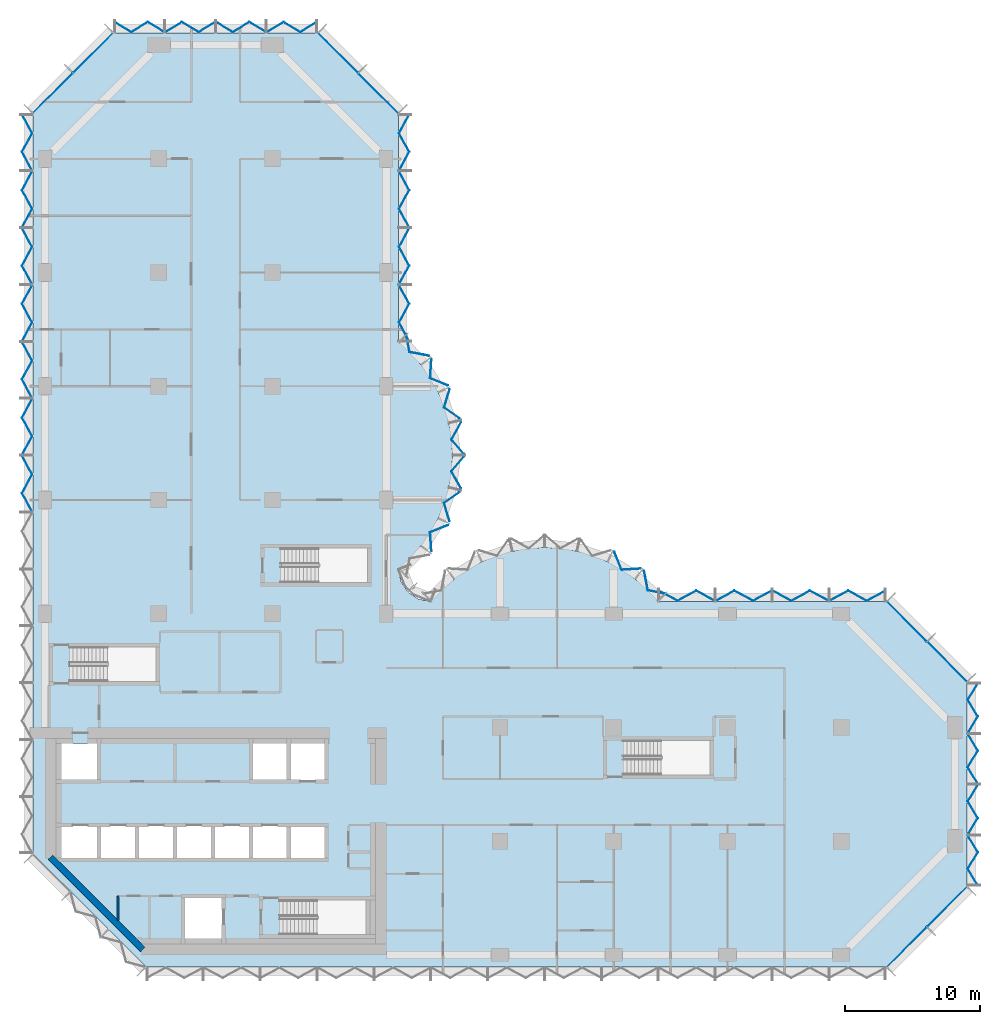
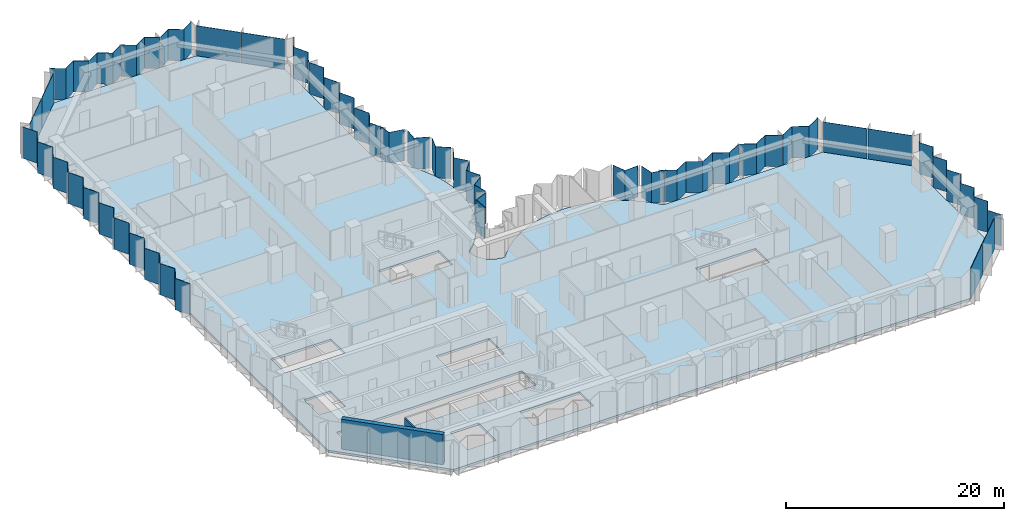
# One storey, part 6 of 13: 40 plates, 2 walls, 1 slab, 11 elements without a shape of their own.
"""IFC4 building model written with IfcOpenShell, lengths in metres."""

from ifc_helpers import new_model, si_unit, direction, frame, frame_2d, origin, place, context, subcontext, project, spatial, polyline, rectangle, outline, extrude, material, layer, layer_set, type_object, element, aggregate, save


model = new_model("IFC4")

# Units and contexts
model_context = context("Model", 3, precision=1e-05, world=origin(), true_north=direction((0.0, 1.0)))
body_context = subcontext(model_context, "Body", "Model", "MODEL_VIEW")
ifc_project = project(units=[si_unit("LENGTHUNIT", "METRE"), si_unit("AREAUNIT", "SQUARE_METRE"), si_unit("VOLUMEUNIT", "CUBIC_METRE"), si_unit("PLANEANGLEUNIT", "RADIAN"), si_unit("MASSUNIT", "GRAM", prefix="KILO")], contexts=[model_context])

# Site, building, storey
site_placement = place(None, origin())
site = spatial("IfcSite", under=ifc_project, at=site_placement, CompositionType="ELEMENT")
building_placement = place(site_placement, origin())
building = spatial("IfcBuilding", under=site, at=building_placement, Name="Brevane Broadcast Tower", CompositionType="ELEMENT")
storey_placement = place(building_placement, frame((0.0, 0.0, 109.699951171875)))
storey = spatial("IfcBuildingStorey", under=building, at=storey_placement, Name="L26", CompositionType="ELEMENT", Elevation=109.699951171875)

# Curtain wall, plates
ifc_material_1 = material(Name="Aluminium 6063-T6 bronze anodised", Category="aluminium")
curtain_wall_type = type_object("IfcCurtainWallType", Name="CW-1 curtain wall", PredefinedType="NOTDEFINED", material=ifc_material_1)
curtain_wall_1_placement = place(storey_placement, origin())
curtain_wall_1 = element("IfcCurtainWall", 1, at=curtain_wall_1_placement, inside=storey, type_object=curtain_wall_type, Name="CW-1 typical tilted unit L26 south-east chamfer", PredefinedType="NOTDEFINED")
ifc_material_2 = material(Name="Laminated glass bronze-tinted", Category="glass")
ifc_layer_1 = layer(ifc_material_2, 0.0400390625)
ifc_layer_set_1 = layer_set([ifc_layer_1], Name="CW tall glass panel 40")
plate_type = type_object("IfcPlateType", Name="CW tall glass panel 40", PredefinedType="CURTAIN_PANEL", material=ifc_layer_set_1)
plate_1_placement = place(storey_placement, frame((0.0, 0.0, -0.14990234375)))
plate_1 = element("IfcPlate", 2, at=plate_1_placement, type_object=plate_type, Name="CW-1 glass panel", PredefinedType="CURTAIN_PANEL", context=body_context, shape_type="SweptSolid", body=[
    extrude(outline(polyline([(62.14599609375, -0.896484375), (65.096435546875, 2.053955078125), (65.124755859375, 2.02587890625), (62.17431640625, -0.9248046875), (62.14599609375, -0.896484375)])), origin(), (0.0, 0.0, 1.0), 3.5),
])
plate_2_placement = place(storey_placement, frame((0.0, 0.0, -0.14990234375)))
plate_2 = element("IfcPlate", 3, at=plate_2_placement, type_object=plate_type, Name="CW-1 glass panel", PredefinedType="CURTAIN_PANEL", context=body_context, shape_type="SweptSolid", body=[
    extrude(outline(polyline([(65.14599609375, 2.103515625), (68.096435546875, 5.053955078125), (68.124755859375, 5.02587890625), (65.17431640625, 2.0751953125), (65.14599609375, 2.103515625)])), origin(), (0.0, 0.0, 1.0), 3.5),
])
aggregate(curtain_wall_1, [plate_1, plate_2])

curtain_wall_2_placement = place(storey_placement, origin())
curtain_wall_2 = element("IfcCurtainWall", 4, at=curtain_wall_2_placement, inside=storey, type_object=curtain_wall_type, Name="CW-1 typical tilted unit L26 east end", PredefinedType="NOTDEFINED")
plate_3_placement = place(storey_placement, frame((0.0, 0.0, -0.14990234375)))
plate_3 = element("IfcPlate", 5, at=plate_3_placement, type_object=plate_type, Name="CW-1 glass panel", PredefinedType="CURTAIN_PANEL", context=body_context, shape_type="SweptSolid", body=[
    extrude(outline(polyline([(68.87109375, 5.135009765625), (68.917724609375, 5.135009765625), (68.17333984375, 6.36181640625), (68.917724609375, 7.58837890625), (68.17333984375, 8.81494140625), (68.126708984375, 8.81494140625), (68.87109375, 7.58837890625), (68.126708984375, 6.36181640625), (68.87109375, 5.135009765625)])), origin(), (0.0, 0.0, 1.0), 3.5),
])
plate_4_placement = place(storey_placement, frame((0.0, 0.0, -0.14990234375)))
plate_4 = element("IfcPlate", 6, at=plate_4_placement, type_object=plate_type, Name="CW-1 glass panel", PredefinedType="CURTAIN_PANEL", context=body_context, shape_type="SweptSolid", body=[
    extrude(outline(polyline([(68.126708984375, 8.885009765625), (68.17333984375, 8.885009765625), (68.917724609375, 10.11181640625), (68.17333984375, 11.33837890625), (68.917724609375, 12.56494140625), (68.87109375, 12.56494140625), (68.126708984375, 11.33837890625), (68.87109375, 10.11181640625), (68.126708984375, 8.885009765625)])), origin(), (0.0, 0.0, 1.0), 3.5),
])
plate_5_placement = place(storey_placement, frame((0.0, 0.0, -0.14990234375)))
plate_5 = element("IfcPlate", 7, at=plate_5_placement, type_object=plate_type, Name="CW-1 glass panel", PredefinedType="CURTAIN_PANEL", context=body_context, shape_type="SweptSolid", body=[
    extrude(outline(polyline([(68.87109375, 12.635009765625), (68.917724609375, 12.635009765625), (68.17333984375, 13.86181640625), (68.917724609375, 15.08837890625), (68.17333984375, 16.31494140625), (68.126708984375, 16.31494140625), (68.87109375, 15.08837890625), (68.126708984375, 13.86181640625), (68.87109375, 12.635009765625)])), origin(), (0.0, 0.0, 1.0), 3.5),
])
plate_6_placement = place(storey_placement, frame((0.0, 0.0, -0.14990234375)))
plate_6 = element("IfcPlate", 8, at=plate_6_placement, type_object=plate_type, Name="CW-1 glass panel", PredefinedType="CURTAIN_PANEL", context=body_context, shape_type="SweptSolid", body=[
    extrude(outline(polyline([(68.126708984375, 16.385009765625), (68.17333984375, 16.385009765625), (68.917724609375, 17.61181640625), (68.17333984375, 18.83837890625), (68.917724609375, 20.06494140625), (68.87109375, 20.06494140625), (68.126708984375, 18.83837890625), (68.87109375, 17.61181640625), (68.126708984375, 16.385009765625)])), origin(), (0.0, 0.0, 1.0), 3.5),
])
aggregate(curtain_wall_2, [plate_3, plate_4, plate_5, plate_6])

curtain_wall_3_placement = place(storey_placement, origin())
curtain_wall_3 = element("IfcCurtainWall", 9, at=curtain_wall_3_placement, inside=storey, type_object=curtain_wall_type, Name="CW-1 typical tilted unit L26 north-east chamfer", PredefinedType="NOTDEFINED")
plate_7_placement = place(storey_placement, frame((0.0, 0.0, -0.14990234375)))
plate_7 = element("IfcPlate", 10, at=plate_7_placement, type_object=plate_type, Name="CW-1 glass panel", PredefinedType="CURTAIN_PANEL", context=body_context, shape_type="SweptSolid", body=[
    extrude(outline(polyline([(68.096435546875, 20.14599609375), (65.14599609375, 23.096435546875), (65.17431640625, 23.124755859375), (68.124755859375, 20.17431640625), (68.096435546875, 20.14599609375)])), origin(), (0.0, 0.0, 1.0), 3.5),
])
plate_8_placement = place(storey_placement, frame((0.0, 0.0, -0.14990234375)))
plate_8 = element("IfcPlate", 11, at=plate_8_placement, type_object=plate_type, Name="CW-1 glass panel", PredefinedType="CURTAIN_PANEL", context=body_context, shape_type="SweptSolid", body=[
    extrude(outline(polyline([(65.096435546875, 23.14599609375), (62.14599609375, 26.096435546875), (62.17431640625, 26.124755859375), (65.124755859375, 23.17431640625), (65.096435546875, 23.14599609375)])), origin(), (0.0, 0.0, 1.0), 3.5),
])
aggregate(curtain_wall_3, [plate_7, plate_8])

curtain_wall_4_placement = place(storey_placement, origin())
curtain_wall_4 = element("IfcCurtainWall", 12, at=curtain_wall_4_placement, inside=storey, type_object=curtain_wall_type, Name="CW-1 typical tilted unit L26 east arm north face", PredefinedType="NOTDEFINED")
plate_9_placement = place(storey_placement, frame((0.0, 0.0, -0.14990234375)))
plate_9 = element("IfcPlate", 13, at=plate_9_placement, type_object=plate_type, Name="CW-1 glass panel", PredefinedType="CURTAIN_PANEL", context=body_context, shape_type="SweptSolid", body=[
    extrude(outline(polyline([(62.06494140625, 26.87158203125), (62.06494140625, 26.9169921875), (60.688232421875, 26.172607421875), (59.311767578125, 26.9169921875), (57.93505859375, 26.172607421875), (57.93505859375, 26.127197265625), (59.311767578125, 26.87158203125), (60.688232421875, 26.127197265625), (62.06494140625, 26.87158203125)])), origin(), (0.0, 0.0, 1.0), 3.5),
])
plate_10_placement = place(storey_placement, frame((0.0, 0.0, -0.14990234375)))
plate_10 = element("IfcPlate", 14, at=plate_10_placement, type_object=plate_type, Name="CW-1 glass panel", PredefinedType="CURTAIN_PANEL", context=body_context, shape_type="SweptSolid", body=[
    extrude(outline(polyline([(57.864990234375, 26.127197265625), (57.864990234375, 26.172607421875), (56.48828125, 26.9169921875), (55.11181640625, 26.172607421875), (53.735107421875, 26.9169921875), (53.735107421875, 26.87158203125), (55.11181640625, 26.127197265625), (56.48828125, 26.87158203125), (57.864990234375, 26.127197265625)])), origin(), (0.0, 0.0, 1.0), 3.5),
])
plate_11_placement = place(storey_placement, frame((0.0, 0.0, -0.14990234375)))
plate_11 = element("IfcPlate", 15, at=plate_11_placement, type_object=plate_type, Name="CW-1 glass panel", PredefinedType="CURTAIN_PANEL", context=body_context, shape_type="SweptSolid", body=[
    extrude(outline(polyline([(53.6650390625, 26.87158203125), (53.6650390625, 26.9169921875), (52.288330078125, 26.172607421875), (50.91162109375, 26.9169921875), (49.534912109375, 26.172607421875), (49.534912109375, 26.127197265625), (50.91162109375, 26.87158203125), (52.288330078125, 26.127197265625), (53.6650390625, 26.87158203125)])), origin(), (0.0, 0.0, 1.0), 3.5),
])
plate_12_placement = place(storey_placement, frame((0.0, 0.0, -0.14990234375)))
plate_12 = element("IfcPlate", 16, at=plate_12_placement, type_object=plate_type, Name="CW-1 glass panel", PredefinedType="CURTAIN_PANEL", context=body_context, shape_type="SweptSolid", body=[
    extrude(outline(polyline([(49.465087890625, 26.127197265625), (49.465087890625, 26.172607421875), (48.08837890625, 26.9169921875), (46.711669921875, 26.172607421875), (45.3349609375, 26.9169921875), (45.3349609375, 26.87158203125), (46.711669921875, 26.127197265625), (48.08837890625, 26.87158203125), (49.465087890625, 26.127197265625)])), origin(), (0.0, 0.0, 1.0), 3.5),
])
aggregate(curtain_wall_4, [plate_9, plate_10, plate_11, plate_12])

curtain_wall_5_placement = place(storey_placement, origin())
curtain_wall_5 = element("IfcCurtainWall", 17, at=curtain_wall_5_placement, inside=storey, type_object=curtain_wall_type, Name="CW-1 typical tilted unit L26 east bow", PredefinedType="NOTDEFINED")
plate_13_placement = place(storey_placement, frame((0.0, 0.0, -0.14990234375)))
plate_13 = element("IfcPlate", 18, at=plate_13_placement, type_object=plate_type, Name="CW-1 glass panel", PredefinedType="CURTAIN_PANEL", context=body_context, shape_type="SweptSolid", body=[
    extrude(outline(polyline([(45.79150390625, 26.656005859375), (45.82470703125, 26.690185546875), (44.539306640625, 26.9423828125), (44.263916015625, 28.3857421875), (44.231201171875, 28.34375), (44.5048828125, 26.908203125), (45.79150390625, 26.656005859375)])), origin(), (0.0, 0.0, 1.0), 3.5),
])
plate_14_placement = place(storey_placement, frame((0.0, 0.0, -0.14990234375)))
plate_14 = element("IfcPlate", 19, at=plate_14_placement, type_object=plate_type, Name="CW-1 glass panel", PredefinedType="CURTAIN_PANEL", context=body_context, shape_type="SweptSolid", body=[
    extrude(outline(polyline([(43.950439453125, 28.5087890625), (43.9833984375, 28.551025390625), (42.601318359375, 28.462890625), (42.0703125, 29.76171875), (42.046875, 29.712890625), (42.5751953125, 28.42138671875), (43.950439453125, 28.5087890625)])), origin(), (0.0, 0.0, 1.0), 3.5),
])
aggregate(curtain_wall_5, [plate_13, plate_14])

curtain_wall_6_placement = place(storey_placement, origin())
curtain_wall_6 = element("IfcCurtainWall", 20, at=curtain_wall_6_placement, inside=storey, type_object=curtain_wall_type, Name="CW-1 typical tilted unit L26 north bow", PredefinedType="NOTDEFINED")
plate_15_placement = place(storey_placement, frame((0.0, 0.0, -0.14990234375)))
plate_15 = element("IfcPlate", 21, at=plate_15_placement, type_object=plate_type, Name="CW-1 glass panel", PredefinedType="CURTAIN_PANEL", context=body_context, shape_type="SweptSolid", body=[
    extrude(outline(polyline([(28.5087890625, 29.849609375), (28.551025390625, 29.816650390625), (28.462890625, 31.198486328125), (29.76171875, 31.729736328125), (29.712890625, 31.753173828125), (28.42138671875, 31.224609375), (28.5087890625, 29.849609375)])), origin(), (0.0, 0.0, 1.0), 3.5),
])
plate_16_placement = place(storey_placement, frame((0.0, 0.0, -0.14990234375)))
plate_16 = element("IfcPlate", 22, at=plate_16_placement, type_object=plate_type, Name="CW-1 glass panel", PredefinedType="CURTAIN_PANEL", context=body_context, shape_type="SweptSolid", body=[
    extrude(outline(polyline([(29.851806640625, 32.044677734375), (29.900634765625, 32.021484375), (29.494384765625, 33.364501953125), (30.622802734375, 34.167236328125), (30.57080078125, 34.17919921875), (29.44775390625, 33.380615234375), (29.851806640625, 32.044677734375)])), origin(), (0.0, 0.0, 1.0), 3.5),
])
plate_17_placement = place(storey_placement, frame((0.0, 0.0, -0.14990234375)))
plate_17 = element("IfcPlate", 23, at=plate_17_placement, type_object=plate_type, Name="CW-1 glass panel", PredefinedType="CURTAIN_PANEL", context=body_context, shape_type="SweptSolid", body=[
    extrude(outline(polyline([(30.68798828125, 34.483642578125), (30.740478515625, 34.4716796875), (30.036376953125, 35.730224609375), (30.94921875, 36.7919921875), (30.896484375, 36.7919921875), (29.98779296875, 35.735107421875), (30.68798828125, 34.483642578125)])), origin(), (0.0, 0.0, 1.0), 3.5),
])
plate_18_placement = place(storey_placement, frame((0.0, 0.0, -0.14990234375)))
plate_18 = element("IfcPlate", 24, at=plate_18_placement, type_object=plate_type, Name="CW-1 glass panel", PredefinedType="CURTAIN_PANEL", context=body_context, shape_type="SweptSolid", body=[
    extrude(outline(polyline([(30.896484375, 37.008056640625), (30.94921875, 37.008056640625), (30.036376953125, 38.069580078125), (30.740478515625, 39.328369140625), (30.68798828125, 39.31640625), (29.98779296875, 38.064697265625), (30.896484375, 37.008056640625)])), origin(), (0.0, 0.0, 1.0), 3.5),
])
plate_19_placement = place(storey_placement, frame((0.0, 0.0, -0.14990234375)))
plate_19 = element("IfcPlate", 25, at=plate_19_placement, type_object=plate_type, Name="CW-1 glass panel", PredefinedType="CURTAIN_PANEL", context=body_context, shape_type="SweptSolid", body=[
    extrude(outline(polyline([(30.57080078125, 39.62060546875), (30.622802734375, 39.6328125), (29.494384765625, 40.435546875), (29.900634765625, 41.778564453125), (29.851806640625, 41.75537109375), (29.44775390625, 40.41943359375), (30.57080078125, 39.62060546875)])), origin(), (0.0, 0.0, 1.0), 3.5),
])
plate_20_placement = place(storey_placement, frame((0.0, 0.0, -0.14990234375)))
plate_20 = element("IfcPlate", 26, at=plate_20_placement, type_object=plate_type, Name="CW-1 glass panel", PredefinedType="CURTAIN_PANEL", context=body_context, shape_type="SweptSolid", body=[
    extrude(outline(polyline([(29.712890625, 42.046875), (29.76171875, 42.0703125), (28.462890625, 42.601318359375), (28.551025390625, 43.9833984375), (28.5087890625, 43.950439453125), (28.42138671875, 42.5751953125), (29.712890625, 42.046875)])), origin(), (0.0, 0.0, 1.0), 3.5),
])
plate_21_placement = place(storey_placement, frame((0.0, 0.0, -0.14990234375)))
plate_21 = element("IfcPlate", 27, at=plate_21_placement, type_object=plate_type, Name="CW-1 glass panel", PredefinedType="CURTAIN_PANEL", context=body_context, shape_type="SweptSolid", body=[
    extrude(outline(polyline([(28.34375, 44.231201171875), (28.3857421875, 44.263916015625), (26.9423828125, 44.539306640625), (26.690185546875, 45.82470703125), (26.656005859375, 45.79150390625), (26.908203125, 44.5048828125), (28.34375, 44.231201171875)])), origin(), (0.0, 0.0, 1.0), 3.5),
])
aggregate(curtain_wall_6, [plate_15, plate_16, plate_17, plate_18, plate_19, plate_20, plate_21])

curtain_wall_7_placement = place(storey_placement, origin())
curtain_wall_7 = element("IfcCurtainWall", 28, at=curtain_wall_7_placement, inside=storey, type_object=curtain_wall_type, Name="CW-1 typical tilted unit L26 north arm east face", PredefinedType="NOTDEFINED")
plate_22_placement = place(storey_placement, frame((0.0, 0.0, -0.14990234375)))
plate_22 = element("IfcPlate", 29, at=plate_22_placement, type_object=plate_type, Name="CW-1 glass panel", PredefinedType="CURTAIN_PANEL", context=body_context, shape_type="SweptSolid", body=[
    extrude(outline(polyline([(26.87158203125, 45.3349609375), (26.9169921875, 45.3349609375), (26.172607421875, 46.711669921875), (26.9169921875, 48.08837890625), (26.172607421875, 49.465087890625), (26.127197265625, 49.465087890625), (26.87158203125, 48.08837890625), (26.127197265625, 46.711669921875), (26.87158203125, 45.3349609375)])), origin(), (0.0, 0.0, 1.0), 3.5),
])
plate_23_placement = place(storey_placement, frame((0.0, 0.0, -0.14990234375)))
plate_23 = element("IfcPlate", 30, at=plate_23_placement, type_object=plate_type, Name="CW-1 glass panel", PredefinedType="CURTAIN_PANEL", context=body_context, shape_type="SweptSolid", body=[
    extrude(outline(polyline([(26.127197265625, 49.534912109375), (26.172607421875, 49.534912109375), (26.9169921875, 50.91162109375), (26.172607421875, 52.288330078125), (26.9169921875, 53.6650390625), (26.87158203125, 53.6650390625), (26.127197265625, 52.288330078125), (26.87158203125, 50.91162109375), (26.127197265625, 49.534912109375)])), origin(), (0.0, 0.0, 1.0), 3.5),
])
plate_24_placement = place(storey_placement, frame((0.0, 0.0, -0.14990234375)))
plate_24 = element("IfcPlate", 31, at=plate_24_placement, type_object=plate_type, Name="CW-1 glass panel", PredefinedType="CURTAIN_PANEL", context=body_context, shape_type="SweptSolid", body=[
    extrude(outline(polyline([(26.87158203125, 53.735107421875), (26.9169921875, 53.735107421875), (26.172607421875, 55.11181640625), (26.9169921875, 56.48828125), (26.172607421875, 57.864990234375), (26.127197265625, 57.864990234375), (26.87158203125, 56.48828125), (26.127197265625, 55.11181640625), (26.87158203125, 53.735107421875)])), origin(), (0.0, 0.0, 1.0), 3.5),
])
plate_25_placement = place(storey_placement, frame((0.0, 0.0, -0.14990234375)))
plate_25 = element("IfcPlate", 32, at=plate_25_placement, type_object=plate_type, Name="CW-1 glass panel", PredefinedType="CURTAIN_PANEL", context=body_context, shape_type="SweptSolid", body=[
    extrude(outline(polyline([(26.127197265625, 57.93505859375), (26.172607421875, 57.93505859375), (26.9169921875, 59.311767578125), (26.172607421875, 60.688232421875), (26.9169921875, 62.06494140625), (26.87158203125, 62.06494140625), (26.127197265625, 60.688232421875), (26.87158203125, 59.311767578125), (26.127197265625, 57.93505859375)])), origin(), (0.0, 0.0, 1.0), 3.5),
])
aggregate(curtain_wall_7, [plate_22, plate_23, plate_24, plate_25])

curtain_wall_8_placement = place(storey_placement, origin())
curtain_wall_8 = element("IfcCurtainWall", 33, at=curtain_wall_8_placement, inside=storey, type_object=curtain_wall_type, Name="CW-1 typical tilted unit L26 north arm north-east chamfer", PredefinedType="NOTDEFINED")
plate_26_placement = place(storey_placement, frame((0.0, 0.0, -0.14990234375)))
plate_26 = element("IfcPlate", 34, at=plate_26_placement, type_object=plate_type, Name="CW-1 glass panel", PredefinedType="CURTAIN_PANEL", context=body_context, shape_type="SweptSolid", body=[
    extrude(outline(polyline([(26.096435546875, 62.14599609375), (23.14599609375, 65.096435546875), (23.17431640625, 65.124755859375), (26.124755859375, 62.17431640625), (26.096435546875, 62.14599609375)])), origin(), (0.0, 0.0, 1.0), 3.5),
])
plate_27_placement = place(storey_placement, frame((0.0, 0.0, -0.14990234375)))
plate_27 = element("IfcPlate", 35, at=plate_27_placement, type_object=plate_type, Name="CW-1 glass panel", PredefinedType="CURTAIN_PANEL", context=body_context, shape_type="SweptSolid", body=[
    extrude(outline(polyline([(23.096435546875, 65.14599609375), (20.14599609375, 68.096435546875), (20.17431640625, 68.124755859375), (23.124755859375, 65.17431640625), (23.096435546875, 65.14599609375)])), origin(), (0.0, 0.0, 1.0), 3.5),
])
aggregate(curtain_wall_8, [plate_26, plate_27])

curtain_wall_9_placement = place(storey_placement, origin())
curtain_wall_9 = element("IfcCurtainWall", 36, at=curtain_wall_9_placement, inside=storey, type_object=curtain_wall_type, Name="CW-1 typical tilted unit L26 north end", PredefinedType="NOTDEFINED")
plate_28_placement = place(storey_placement, frame((0.0, 0.0, -0.14990234375)))
plate_28 = element("IfcPlate", 37, at=plate_28_placement, type_object=plate_type, Name="CW-1 glass panel", PredefinedType="CURTAIN_PANEL", context=body_context, shape_type="SweptSolid", body=[
    extrude(outline(polyline([(20.06494140625, 68.87109375), (20.06494140625, 68.917724609375), (18.83837890625, 68.17333984375), (17.61181640625, 68.917724609375), (16.385009765625, 68.17333984375), (16.385009765625, 68.126708984375), (17.61181640625, 68.87109375), (18.83837890625, 68.126708984375), (20.06494140625, 68.87109375)])), origin(), (0.0, 0.0, 1.0), 3.5),
])
plate_29_placement = place(storey_placement, frame((0.0, 0.0, -0.14990234375)))
plate_29 = element("IfcPlate", 38, at=plate_29_placement, type_object=plate_type, Name="CW-1 glass panel", PredefinedType="CURTAIN_PANEL", context=body_context, shape_type="SweptSolid", body=[
    extrude(outline(polyline([(16.31494140625, 68.126708984375), (16.31494140625, 68.17333984375), (15.08837890625, 68.917724609375), (13.86181640625, 68.17333984375), (12.635009765625, 68.917724609375), (12.635009765625, 68.87109375), (13.86181640625, 68.126708984375), (15.08837890625, 68.87109375), (16.31494140625, 68.126708984375)])), origin(), (0.0, 0.0, 1.0), 3.5),
])
plate_30_placement = place(storey_placement, frame((0.0, 0.0, -0.14990234375)))
plate_30 = element("IfcPlate", 39, at=plate_30_placement, type_object=plate_type, Name="CW-1 glass panel", PredefinedType="CURTAIN_PANEL", context=body_context, shape_type="SweptSolid", body=[
    extrude(outline(polyline([(12.56494140625, 68.87109375), (12.56494140625, 68.917724609375), (11.33837890625, 68.17333984375), (10.11181640625, 68.917724609375), (8.885009765625, 68.17333984375), (8.885009765625, 68.126708984375), (10.11181640625, 68.87109375), (11.33837890625, 68.126708984375), (12.56494140625, 68.87109375)])), origin(), (0.0, 0.0, 1.0), 3.5),
])
plate_31_placement = place(storey_placement, frame((0.0, 0.0, -0.14990234375)))
plate_31 = element("IfcPlate", 40, at=plate_31_placement, type_object=plate_type, Name="CW-1 glass panel", PredefinedType="CURTAIN_PANEL", context=body_context, shape_type="SweptSolid", body=[
    extrude(outline(polyline([(8.81494140625, 68.126708984375), (8.81494140625, 68.17333984375), (7.58837890625, 68.917724609375), (6.36181640625, 68.17333984375), (5.135009765625, 68.917724609375), (5.135009765625, 68.87109375), (6.36181640625, 68.126708984375), (7.58837890625, 68.87109375), (8.81494140625, 68.126708984375)])), origin(), (0.0, 0.0, 1.0), 3.5),
])
aggregate(curtain_wall_9, [plate_28, plate_29, plate_30, plate_31])

curtain_wall_10_placement = place(storey_placement, origin())
curtain_wall_10 = element("IfcCurtainWall", 41, at=curtain_wall_10_placement, inside=storey, type_object=curtain_wall_type, Name="CW-1 typical tilted unit L26 north-west chamfer", PredefinedType="NOTDEFINED")
plate_32_placement = place(storey_placement, frame((0.0, 0.0, -0.14990234375)))
plate_32 = element("IfcPlate", 42, at=plate_32_placement, type_object=plate_type, Name="CW-1 glass panel", PredefinedType="CURTAIN_PANEL", context=body_context, shape_type="SweptSolid", body=[
    extrude(outline(polyline([(5.053955078125, 68.096435546875), (2.103515625, 65.14599609375), (2.0751953125, 65.17431640625), (5.02587890625, 68.124755859375), (5.053955078125, 68.096435546875)])), origin(), (0.0, 0.0, 1.0), 3.5),
])
plate_33_placement = place(storey_placement, frame((0.0, 0.0, -0.14990234375)))
plate_33 = element("IfcPlate", 43, at=plate_33_placement, type_object=plate_type, Name="CW-1 glass panel", PredefinedType="CURTAIN_PANEL", context=body_context, shape_type="SweptSolid", body=[
    extrude(outline(polyline([(2.053955078125, 65.096435546875), (-0.896484375, 62.14599609375), (-0.9248046875, 62.17431640625), (2.02587890625, 65.124755859375), (2.053955078125, 65.096435546875)])), origin(), (0.0, 0.0, 1.0), 3.5),
])
aggregate(curtain_wall_10, [plate_32, plate_33])

curtain_wall_11_placement = place(storey_placement, origin())
curtain_wall_11 = element("IfcCurtainWall", 44, at=curtain_wall_11_placement, inside=storey, type_object=curtain_wall_type, Name="CW-1 typical tilted unit L26 west face", PredefinedType="NOTDEFINED")
plate_34_placement = place(storey_placement, frame((0.0, 0.0, -0.14990234375)))
plate_34 = element("IfcPlate", 45, at=plate_34_placement, type_object=plate_type, Name="CW-1 glass panel", PredefinedType="CURTAIN_PANEL", context=body_context, shape_type="SweptSolid", body=[
    extrude(outline(polyline([(-1.671630859375, 62.06494140625), (-1.717041015625, 62.06494140625), (-0.97265625, 60.688232421875), (-1.717041015625, 59.311767578125), (-0.97265625, 57.93505859375), (-0.92724609375, 57.93505859375), (-1.671630859375, 59.311767578125), (-0.92724609375, 60.688232421875), (-1.671630859375, 62.06494140625)])), origin(), (0.0, 0.0, 1.0), 3.5),
])
plate_35_placement = place(storey_placement, frame((0.0, 0.0, -0.14990234375)))
plate_35 = element("IfcPlate", 46, at=plate_35_placement, type_object=plate_type, Name="CW-1 glass panel", PredefinedType="CURTAIN_PANEL", context=body_context, shape_type="SweptSolid", body=[
    extrude(outline(polyline([(-0.92724609375, 57.864990234375), (-0.97265625, 57.864990234375), (-1.717041015625, 56.48828125), (-0.97265625, 55.11181640625), (-1.717041015625, 53.735107421875), (-1.671630859375, 53.735107421875), (-0.92724609375, 55.11181640625), (-1.671630859375, 56.48828125), (-0.92724609375, 57.864990234375)])), origin(), (0.0, 0.0, 1.0), 3.5),
])
plate_36_placement = place(storey_placement, frame((0.0, 0.0, -0.14990234375)))
plate_36 = element("IfcPlate", 47, at=plate_36_placement, type_object=plate_type, Name="CW-1 glass panel", PredefinedType="CURTAIN_PANEL", context=body_context, shape_type="SweptSolid", body=[
    extrude(outline(polyline([(-1.671630859375, 53.6650390625), (-1.717041015625, 53.6650390625), (-0.97265625, 52.288330078125), (-1.717041015625, 50.91162109375), (-0.97265625, 49.534912109375), (-0.92724609375, 49.534912109375), (-1.671630859375, 50.91162109375), (-0.92724609375, 52.288330078125), (-1.671630859375, 53.6650390625)])), origin(), (0.0, 0.0, 1.0), 3.5),
])
plate_37_placement = place(storey_placement, frame((0.0, 0.0, -0.14990234375)))
plate_37 = element("IfcPlate", 48, at=plate_37_placement, type_object=plate_type, Name="CW-1 glass panel", PredefinedType="CURTAIN_PANEL", context=body_context, shape_type="SweptSolid", body=[
    extrude(outline(polyline([(-0.92724609375, 49.465087890625), (-0.97265625, 49.465087890625), (-1.717041015625, 48.08837890625), (-0.97265625, 46.711669921875), (-1.717041015625, 45.3349609375), (-1.671630859375, 45.3349609375), (-0.92724609375, 46.711669921875), (-1.671630859375, 48.08837890625), (-0.92724609375, 49.465087890625)])), origin(), (0.0, 0.0, 1.0), 3.5),
])
plate_38_placement = place(storey_placement, frame((0.0, 0.0, -0.14990234375)))
plate_38 = element("IfcPlate", 49, at=plate_38_placement, type_object=plate_type, Name="CW-1 glass panel", PredefinedType="CURTAIN_PANEL", context=body_context, shape_type="SweptSolid", body=[
    extrude(outline(polyline([(-1.671630859375, 45.264892578125), (-1.717041015625, 45.264892578125), (-0.97265625, 43.88818359375), (-1.717041015625, 42.51171875), (-0.97265625, 41.135009765625), (-0.92724609375, 41.135009765625), (-1.671630859375, 42.51171875), (-0.92724609375, 43.88818359375), (-1.671630859375, 45.264892578125)])), origin(), (0.0, 0.0, 1.0), 3.5),
])
plate_39_placement = place(storey_placement, frame((0.0, 0.0, -0.14990234375)))
plate_39 = element("IfcPlate", 50, at=plate_39_placement, type_object=plate_type, Name="CW-1 glass panel", PredefinedType="CURTAIN_PANEL", context=body_context, shape_type="SweptSolid", body=[
    extrude(outline(polyline([(-0.92724609375, 41.06494140625), (-0.97265625, 41.06494140625), (-1.717041015625, 39.688232421875), (-0.97265625, 38.311767578125), (-1.717041015625, 36.93505859375), (-1.671630859375, 36.93505859375), (-0.92724609375, 38.311767578125), (-1.671630859375, 39.688232421875), (-0.92724609375, 41.06494140625)])), origin(), (0.0, 0.0, 1.0), 3.5),
])
plate_40_placement = place(storey_placement, frame((0.0, 0.0, -0.14990234375)))
plate_40 = element("IfcPlate", 51, at=plate_40_placement, type_object=plate_type, Name="CW-1 glass panel", PredefinedType="CURTAIN_PANEL", context=body_context, shape_type="SweptSolid", body=[
    extrude(outline(polyline([(-1.671630859375, 36.864990234375), (-1.717041015625, 36.864990234375), (-0.97265625, 35.48828125), (-1.717041015625, 34.11181640625), (-0.97265625, 32.735107421875), (-0.92724609375, 32.735107421875), (-1.671630859375, 34.11181640625), (-0.92724609375, 35.48828125), (-1.671630859375, 36.864990234375)])), origin(), (0.0, 0.0, 1.0), 3.5),
])
aggregate(curtain_wall_11, [plate_34, plate_35, plate_36, plate_37, plate_38, plate_39, plate_40])

# Slab
ifc_material_3 = material(Name="Concrete C40/50", Category="concrete")
ifc_layer_2 = layer(ifc_material_3, 0.25)
ifc_layer_set_2 = layer_set([ifc_layer_2], Name="RC FLOOR SLAB 250 C40/50")
slab_type = type_object("IfcSlabType", Name="RC FLOOR SLAB 250 C40/50", PredefinedType="FLOOR", material=ifc_layer_set_2)
slab_placement = place(storey_placement, frame((0.0, 0.0, -0.25)))
element("IfcSlab", 52, at=slab_placement, inside=storey, type_object=slab_type, Name="SL250 L26", PredefinedType="FLOOR", context=body_context, shape_type="SweptSolid", body=[
    extrude(outline(polyline([(-0.89990234375, 7.5), (-0.89990234375, 62.10009765625), (5.10009765625, 68.10009765625), (20.10009765625, 68.10009765625), (26.10009765625, 62.10009765625), (26.10009765625, 45.300048828125), (27.10888671875, 44.36865234375), (27.99169921875, 43.317138671875), (28.734130859375, 42.162353515625), (29.324462890625, 40.922607421875), (29.7529296875, 39.618408203125), (30.012939453125, 38.270263671875), (30.10009765625, 36.89990234375), (30.012939453125, 35.52978515625), (29.7529296875, 34.181640625), (29.324462890625, 32.877197265625), (28.734130859375, 31.6376953125), (27.99169921875, 30.48291015625), (27.10888671875, 29.431396484375), (26.10009765625, 28.5), (26.28271484375, 27.58154296875), (26.802978515625, 26.802978515625), (27.58154296875, 26.28271484375), (28.5, 26.10009765625), (29.431396484375, 27.10888671875), (30.48291015625, 27.99169921875), (31.6376953125, 28.734130859375), (32.877197265625, 29.324462890625), (34.181640625, 29.7529296875), (35.52978515625, 30.012939453125), (36.89990234375, 30.10009765625), (38.270263671875, 30.012939453125), (39.618408203125, 29.7529296875), (40.922607421875, 29.324462890625), (42.162353515625, 28.734130859375), (43.317138671875, 27.99169921875), (44.36865234375, 27.10888671875), (45.300048828125, 26.10009765625), (62.10009765625, 26.10009765625), (68.10009765625, 20.10009765625), (68.10009765625, 5.10009765625), (62.10009765625, -0.89990234375), (7.5, -0.89990234375), (-0.89990234375, 7.5)]), holes=[polyline([(13.199951171875, 4.39990234375), (10.199951171875, 4.39990234375), (10.199951171875, 1.199951171875), (13.199951171875, 1.199951171875), (13.199951171875, 4.39990234375)]), polyline([(4.0, 9.60009765625), (1.199951171875, 9.60009765625), (1.199951171875, 7.0), (4.0, 7.0), (6.800048828125, 7.0), (9.60009765625, 7.0), (12.39990234375, 7.0), (15.199951171875, 7.0), (18.0, 7.0), (20.800048828125, 7.0), (20.800048828125, 9.60009765625), (18.0, 9.60009765625), (15.199951171875, 9.60009765625), (12.39990234375, 9.60009765625), (9.60009765625, 9.60009765625), (6.800048828125, 9.60009765625), (4.0, 9.60009765625)]), polyline([(4.0, 12.800048828125), (4.0, 15.60009765625), (1.199951171875, 15.60009765625), (1.199951171875, 12.800048828125), (4.0, 12.800048828125)]), polyline([(8.199951171875, 22.75), (1.860107421875, 22.75), (1.860107421875, 20.199951171875), (8.199951171875, 20.199951171875), (8.199951171875, 22.75)]), polyline([(23.699951171875, 4.050048828125), (17.360107421875, 4.050048828125), (17.360107421875, 1.5), (23.699951171875, 1.5), (23.699951171875, 4.050048828125)]), polyline([(18.0, 15.60009765625), (15.199951171875, 15.60009765625), (15.199951171875, 12.800048828125), (18.0, 12.800048828125), (20.800048828125, 12.800048828125), (20.800048828125, 15.60009765625), (18.0, 15.60009765625)]), polyline([(49.10009765625, 15.85009765625), (42.760009765625, 15.85009765625), (42.760009765625, 13.300048828125), (49.10009765625, 13.300048828125), (49.10009765625, 15.85009765625)]), polyline([(23.800048828125, 30.050048828125), (17.4599609375, 30.050048828125), (17.4599609375, 27.5), (23.800048828125, 27.5), (23.800048828125, 30.050048828125)])]), origin(), (0.0, 0.0, 1.0), 0.25),
])

# Walls
ifc_material_4 = material(Name="Gypsum board on steel studs", Category="steel")
ifc_layer_3 = layer(ifc_material_4, 0.14990234375)
ifc_layer_set_3 = layer_set([ifc_layer_3], Name="Core fire partition 150 mm")
wall_type_1 = type_object("IfcWallType", Name="Core fire partition 150 mm", PredefinedType="PARTITIONING", material=ifc_layer_set_3)
wall_1_placement = place(storey_placement, frame((5.39990234375, 2.553466796875, 0.0), z_axis=(0.0, 0.0, 1.0), x_axis=(0.0, 1.0, 0.0)))
element("IfcWall", 53, at=wall_1_placement, inside=storey, type_object=wall_type_1, Name="L26 partition wall P10", PredefinedType="PARTITIONING", context=body_context, shape_type="SweptSolid", body=[
    extrude(rectangle(XDim=1.796630859375, YDim=0.14990234375, at=frame_2d((0.8984375, 0.0))), origin(), (0.0, 0.0, 1.0), 3.35009765625),
])
ifc_material_5 = material(Name="Concrete C60/75", Category="concrete")
ifc_layer_4 = layer(ifc_material_5, 0.449951171875)
ifc_layer_set_4 = layer_set([ifc_layer_4], Name="Core wall 450 mm C60/75")
wall_type_2 = type_object("IfcWallType", Name="Core wall 450 mm C60/75", PredefinedType="SHEAR", material=ifc_layer_set_4)
wall_2_placement = place(storey_placement, frame((0.39990234375, 7.21826171875, 0.0), z_axis=(0.0, 0.0, 1.0), x_axis=(0.707106781187, -0.707106781187, 0.0)))
element("IfcWall", 54, at=wall_2_placement, inside=storey, type_object=wall_type_2, Name="L26 outer wall WC", PredefinedType="SHEAR", context=body_context, shape_type="SweptSolid", body=[
    extrude(rectangle(XDim=9.642578125, YDim=0.449951171875, at=frame_2d((4.8212890625, 0.0))), origin(), (0.0, 0.0, 1.0), 3.35009765625),
])

save(model, "model.ifc")
